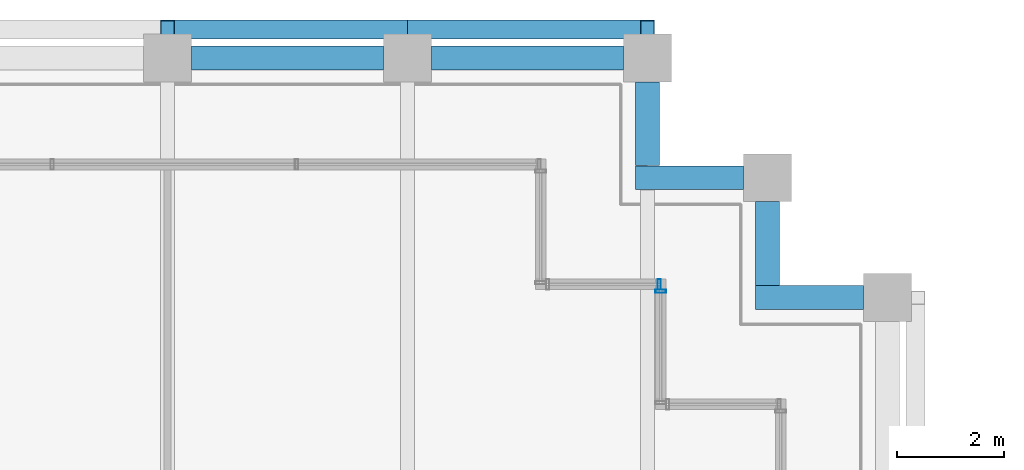
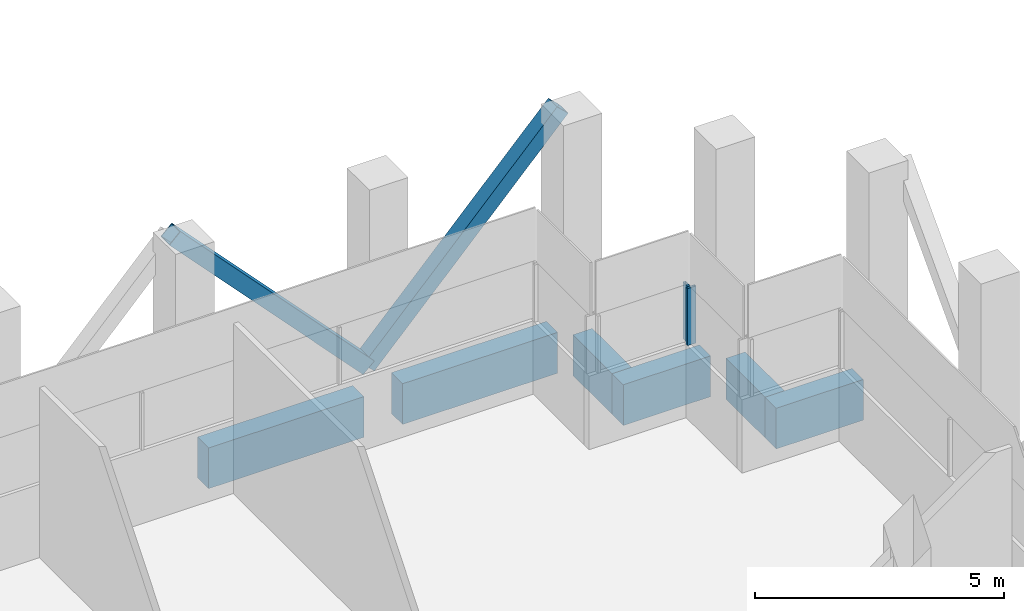
# One storey, part 20 of 34: 6 beams, 4 members, 2 elements without a shape of their own.
"""IFC4 building model written with IfcOpenShell, lengths in metres."""

import ifcopenshell
import ifcopenshell.guid

model = None  # the IFC model being written
_history = None  # IfcOwnerHistory: only IFC2X3 demands one
_inside = {}  # id of a spatial element -> (the spatial element, [elements in it])
_under = {}  # id of a project, library or spatial element -> (it, [spatial elements below it])
_declared = {}  # id of a project -> (the project, [libraries it declares])
_typed = {}  # id of a type object -> (the type object, [elements of that type])
_made_of = {}  # id of a material, layer set ... -> (it, [elements and type objects made of it])


def new_model(schema):
    """Start an empty IFC model of exactly this schema.

    Asked for "IFC4X3", IfcOpenShell would pick the latest addendum, in which some entities
    have other attributes; the version numbers below select the first issue.
    IFC2X3 requires an IfcOwnerHistory on every rooted entity: one is made here for all.
    """
    global model, _history
    if schema == "IFC4X3":
        model = ifcopenshell.file(schema_version=(4, 3, 0, 0))
    else:
        model = ifcopenshell.file(schema=schema)
    _inside.clear()
    _under.clear()
    _declared.clear()
    _typed.clear()
    _made_of.clear()
    _history = None
    if model.schema == "IFC2X3":
        org = make("IfcOrganization", Name="unknown")
        user = make(
            "IfcPersonAndOrganization",
            ThePerson=make("IfcPerson", FamilyName="unknown"),
            TheOrganization=org,
        )
        app = make(
            "IfcApplication",
            ApplicationDeveloper=org,
            Version="unknown",
            ApplicationFullName="unknown",
            ApplicationIdentifier="unknown",
        )
        _history = make(
            "IfcOwnerHistory",
            OwningUser=user,
            OwningApplication=app,
            ChangeAction="ADDED",
            CreationDate=0,
        )
    return model


def make(cls, **values):
    """One entity of the class cls with the attributes given. An attribute that is None is left unset."""
    return model.create_entity(
        cls, **{name: value for name, value in values.items() if value is not None}
    )


def rooted(cls, **values):
    """An entity with a GlobalId (a new one), such as an element, a storey or a relation."""
    return make(cls, GlobalId=ifcopenshell.guid.new(), OwnerHistory=_history, **values)


def si_unit(unit_type, name, prefix=None):
    """IfcSIUnit, for example si_unit("LENGTHUNIT", "METRE", prefix="MILLI")."""
    return make("IfcSIUnit", UnitType=unit_type, Prefix=prefix, Name=name)


def assignment(units):
    """IfcUnitAssignment: the units of a project."""
    return None if units is None else make("IfcUnitAssignment", Units=units)


def point(xyz):
    """IfcCartesianPoint."""
    return None if xyz is None else make("IfcCartesianPoint", Coordinates=xyz)


def direction(xyz):
    """IfcDirection."""
    return None if xyz is None else make("IfcDirection", DirectionRatios=xyz)


def frame(location, z_axis=None, x_axis=None):
    """IfcAxis2Placement3D, a coordinate frame: its origin and axes. An axis left out is left unset."""
    return make(
        "IfcAxis2Placement3D",
        Location=point(location),
        Axis=direction(z_axis),
        RefDirection=direction(x_axis),
    )


def frame_2d(location, x_axis=None):
    """IfcAxis2Placement2D, a coordinate frame in the plane: its origin and x axis."""
    return make(
        "IfcAxis2Placement2D", Location=point(location), RefDirection=direction(x_axis)
    )


def origin():
    """The frame at (0, 0, 0) with its axes left unset."""
    return frame((0.0, 0.0, 0.0))


def origin_2d():
    """The frame at (0, 0) in the plane with its x axis left unset."""
    return frame_2d((0.0, 0.0))


def place(relative_to, where):
    """IfcLocalPlacement: puts the frame where relative to a parent placement (None: the world)."""
    return make(
        "IfcLocalPlacement", PlacementRelTo=relative_to, RelativePlacement=where
    )


def context(
    kind, dimensions, precision=None, world=None, true_north=None, identifier=None
):
    """IfcGeometricRepresentationContext, for example the 3D "Model" context."""
    return make(
        "IfcGeometricRepresentationContext",
        ContextIdentifier=identifier,
        ContextType=kind,
        CoordinateSpaceDimension=dimensions,
        Precision=precision,
        WorldCoordinateSystem=world,
        TrueNorth=true_north,
    )


def subcontext(parent, identifier, kind, view, scale=None):
    """IfcGeometricRepresentationSubContext, for example "Body" below "Model"."""
    return make(
        "IfcGeometricRepresentationSubContext",
        ContextIdentifier=identifier,
        ContextType=kind,
        ParentContext=parent,
        TargetScale=scale,
        TargetView=view,
    )


def project(units=None, contexts=None):
    """IfcProject with its units and contexts."""
    return rooted(
        "IfcProject",
        Name="project",
        RepresentationContexts=contexts,
        UnitsInContext=assignment(units),
    )


def spatial(cls, under=None, at=None, **own):
    """A site, building, storey or space (cls), placed at a placement, below another one or the project."""
    s = rooted(cls, ObjectPlacement=at, **own)
    if under is not None:
        _under.setdefault(under.id(), (under, []))[1].append(s)
    return s


def profile(cls, at=None, kind="AREA", **sizes):
    """A parametric profile (cls). Its sizes go by their IFC names, for example OverallWidth=200.0."""
    return make(cls, ProfileType=kind, Position=at, **sizes)


def rectangle(**sizes):
    """IfcRectangleProfileDef."""
    return profile("IfcRectangleProfileDef", **sizes)


def hollow_rectangle(**sizes):
    """IfcRectangleHollowProfileDef."""
    return profile("IfcRectangleHollowProfileDef", **sizes)


def extrude(swept, where, along, depth):
    """IfcExtrudedAreaSolid: the profile swept, set in the frame where, extruded along a direction by depth."""
    return make(
        "IfcExtrudedAreaSolid",
        SweptArea=swept,
        Position=where,
        ExtrudedDirection=direction(along),
        Depth=depth,
    )


def shape(context_of_items, identifier, shape_type, items):
    """IfcShapeRepresentation: the items that make up one representation, for example the "Body"."""
    return make(
        "IfcShapeRepresentation",
        ContextOfItems=context_of_items,
        RepresentationIdentifier=identifier,
        RepresentationType=shape_type,
        Items=items,
    )


def material(Name=None, Category=None):
    """IfcMaterial."""
    return make("IfcMaterial", Name=Name, Category=Category)


def material_profile(
    of_material, cross_section, Name=None, Category=None, Priority=None
):
    """IfcMaterialProfile: a cross section and its material."""
    return make(
        "IfcMaterialProfile",
        Name=Name,
        Material=of_material,
        Profile=cross_section,
        Priority=Priority,
        Category=Category,
    )


def profile_set(profiles, Name=None, composite=None):
    """IfcMaterialProfileSet."""
    return make(
        "IfcMaterialProfileSet",
        Name=Name,
        MaterialProfiles=profiles,
        CompositeProfile=composite,
    )


def made_of(thing, what):
    """Note that an element or type object is made of a material, layer set ...; save() writes the relation."""
    if what is not None:
        _made_of.setdefault(what.id(), (what, []))[1].append(thing)
    return thing


def type_object(cls, material=None, **own):
    """A type object (cls), such as IfcWallType, which elements share."""
    return made_of(rooted(cls, **own), material)


def element(
    cls,
    number,
    at=None,
    inside=None,
    cuts=None,
    type_object=None,
    material=None,
    context=None,
    identifier="Body",
    shape_type=None,
    held_by="IfcProductDefinitionShape",
    body=None,
    shapes=None,
    **own,
):
    """One element of the class cls, such as IfcWall. Its Tag is "e" and its number.

    at: its placement. inside: the storey or other place that contains it. cuts: it is an
    opening in that element (IfcRelVoidsElement). A single representation is given by context,
    identifier, shape_type and body (its items); several are given by shapes. held_by: the class
    of the entity that holds the representations. save() writes the other relations.
    """
    e = rooted(cls, Tag="e%d" % number, ObjectPlacement=at, **own)
    if body is not None:
        shapes = [shape(context, identifier, shape_type, body)]
    if shapes is not None:
        e.Representation = make(held_by, Representations=shapes)
    if inside is not None:
        _inside.setdefault(inside.id(), (inside, []))[1].append(e)
    if cuts is not None:
        rooted(
            "IfcRelVoidsElement", RelatingBuildingElement=cuts, RelatedOpeningElement=e
        )
    if type_object is not None:
        _typed.setdefault(type_object.id(), (type_object, []))[1].append(e)
    return made_of(e, material)


def aggregate(whole, parts):
    """IfcRelAggregates: a whole, such as a stair, and the parts it consists of."""
    return rooted("IfcRelAggregates", RelatingObject=whole, RelatedObjects=parts)


def save(model, path):
    """Write the relations noted so far, then the file.

    IfcRelAggregates (storeys below a building ...), IfcRelContainedInSpatialStructure (elements
    in a storey), IfcRelDefinesByType, IfcRelAssociatesMaterial and IfcRelDeclares: one each for
    every whole, place, type object, material and project.
    """
    for whole, parts in _under.values():
        aggregate(whole, parts)
    for where, things in _inside.values():
        rooted(
            "IfcRelContainedInSpatialStructure",
            RelatedElements=things,
            RelatingStructure=where,
        )
    for kind, things in _typed.values():
        rooted("IfcRelDefinesByType", RelatedObjects=things, RelatingType=kind)
    for what, things in _made_of.values():
        rooted("IfcRelAssociatesMaterial", RelatedObjects=things, RelatingMaterial=what)
    for by, libraries in _declared.values():
        rooted("IfcRelDeclares", RelatingContext=by, RelatedDefinitions=libraries)
    model.write(path)


model = new_model("IFC4")

# Units and contexts
model_context = context("Model", 3, precision=1e-05, world=origin(), true_north=direction((0.0, 1.0)))
body_context = subcontext(model_context, "Body", "Model", "MODEL_VIEW")
ifc_project = project(units=[si_unit("LENGTHUNIT", "METRE"), si_unit("AREAUNIT", "SQUARE_METRE"), si_unit("VOLUMEUNIT", "CUBIC_METRE"), si_unit("PLANEANGLEUNIT", "RADIAN"), si_unit("MASSUNIT", "GRAM", prefix="KILO")], contexts=[model_context])

# Site, building, storey
site_placement = place(None, origin())
site = spatial("IfcSite", under=ifc_project, at=site_placement, CompositionType="ELEMENT")
building_placement = place(site_placement, origin())
building = spatial("IfcBuilding", under=site, at=building_placement, Name="Altepetl Exchange Towers", CompositionType="ELEMENT")
storey_placement = place(building_placement, frame((0.0, 0.0, 190.60009765625)))
storey = spatial("IfcBuildingStorey", under=building, at=storey_placement, Name="L48 Refuge", CompositionType="ELEMENT", Elevation=190.60009765625)

# Members
ifc_material_1 = material(Name="Steel S355", Category="steel")
ifc_material_profile_1 = material_profile(ifc_material_1, hollow_rectangle(XDim=0.35595703125, YDim=0.35595703125, WallThickness=0.014892578125, at=origin_2d()), Name="HSS356X356X15.9")
ifc_profile_set_1 = profile_set([ifc_material_profile_1], Name="Steel S355")
member_type_1 = type_object("IfcMemberType", Name="Belt diagonal HSS356X356X15.9", PredefinedType="BRACE", material=ifc_profile_set_1)
for number, where, z_axis, x_axis, name in (
    (1, (67.5, 72.530029296875, 4.75), (-0.687744647911, 0.0, -0.725952683906), (0.0, -1.0, 0.0), "brc:A:L48:013"),
    (2, (63.0, 72.530029296875, 0.0), (-0.687744647911, 0.0, 0.725952683906), (0.0, -1.0, 0.0), "brc:A:L48:014"),
):
    element("IfcMember", number, at=place(storey_placement, frame(where, z_axis=z_axis, x_axis=x_axis)), inside=storey, type_object=member_type_1, Name=name, PredefinedType="BRACE", context=body_context, shape_type="SweptSolid", body=[
        extrude(hollow_rectangle(XDim=0.35595703125, YDim=0.35595703125, WallThickness=0.014892578125, at=origin_2d()), origin(), (0.0, 0.0, 1.0), 6.543212890625),
    ])

# Curtain wall, member
ifc_material_2 = material(Name="Aluminium 6063-T6 glazing", Category="aluminium")
curtain_wall_type = type_object("IfcCurtainWallType", Name="Refuge slit glazing system", PredefinedType="NOTDEFINED", material=ifc_material_2)
curtain_wall_1_placement = place(storey_placement, origin())
curtain_wall_1 = element("IfcCurtainWall", 3, at=curtain_wall_1_placement, inside=storey, type_object=curtain_wall_type, Name="CW3 run", PredefinedType="NOTDEFINED")
ifc_material_3 = material(Name="Aluminium 6063-T6", Category="aluminium")
ifc_material_profile_2 = material_profile(ifc_material_3, hollow_rectangle(XDim=0.06005859375, YDim=0.199951171875, WallThickness=0.0029296875, at=origin_2d()), Name="Mullion 60x200 aluminium")
ifc_profile_set_2 = profile_set([ifc_material_profile_2], Name="Aluminium 6063-T6")
member_type_2 = type_object("IfcMemberType", Name="Mullion 60x200 aluminium", PredefinedType="MULLION", material=ifc_profile_set_2)
member_1_placement = place(storey_placement, frame((67.75, 67.6201171875, 1.7998046875), z_axis=(0.0, 0.0, 1.0), x_axis=(0.0, 1.0, 0.0)))
member_1 = element("IfcMember", 4, at=member_1_placement, type_object=member_type_2, Name="MU2 mullion", PredefinedType="MULLION", context=body_context, shape_type="SweptSolid", body=[
    extrude(hollow_rectangle(XDim=0.06005859375, YDim=0.199951171875, WallThickness=0.0029296875, at=origin_2d()), origin(), (0.0, 0.0, 1.0), 1.400146484375),
])
aggregate(curtain_wall_1, [member_1])

curtain_wall_2_placement = place(storey_placement, origin())
curtain_wall_2 = element("IfcCurtainWall", 5, at=curtain_wall_2_placement, inside=storey, type_object=curtain_wall_type, Name="CW3 run", PredefinedType="NOTDEFINED")
member_2_placement = place(storey_placement, frame((67.719970703125, 67.75, 1.7998046875), z_axis=(0.0, 0.0, 1.0), x_axis=(-1.0, 0.0, 0.0)))
member_2 = element("IfcMember", 6, at=member_2_placement, type_object=member_type_2, Name="MU2 mullion", PredefinedType="MULLION", context=body_context, shape_type="SweptSolid", body=[
    extrude(hollow_rectangle(XDim=0.06005859375, YDim=0.199951171875, WallThickness=0.0029296875, at=origin_2d()), origin(), (0.0, 0.0, 1.0), 1.400146484375),
])
aggregate(curtain_wall_2, [member_2])

# Beams
ifc_material_4 = material(Name="Concrete C50/60 precast with cantera rosa facing", Category="concrete")
ifc_material_profile_3 = material_profile(ifc_material_4, rectangle(XDim=0.449951171875, YDim=1.0, at=origin_2d()), Name="450 x 1000")
ifc_profile_set_3 = profile_set([ifc_material_profile_3], Name="Concrete C50/60 precast with cantera rosa facing")
beam_type = type_object("IfcBeamType", Name="Spandrel beam 450x1000 cantera rosa", PredefinedType="SPANDREL", material=ifc_profile_set_3)
beam_1_placement = place(storey_placement, frame((71.550048828125, 67.5, -0.7001953125), z_axis=(-1.0, 0.0, 0.0), x_axis=(0.0, -1.0, 0.0)))
element("IfcBeam", 7, at=beam_1_placement, inside=storey, type_object=beam_type, Name="sp:A:L48:020", PredefinedType="SPANDREL", context=body_context, shape_type="SweptSolid", body=[
    extrude(rectangle(XDim=0.449951171875, YDim=1.0, at=origin_2d()), origin(), (0.0, 0.0, 1.0), 2.025146484375),
])
beam_2_placement = place(storey_placement, frame((69.75, 67.72509765625, -0.7001953125), z_axis=(0.0, 1.0, 0.0), x_axis=(-1.0, 0.0, 0.0)))
element("IfcBeam", 8, at=beam_2_placement, inside=storey, type_object=beam_type, Name="sp:A:L48:021", PredefinedType="SPANDREL", context=body_context, shape_type="SweptSolid", body=[
    extrude(rectangle(XDim=0.449951171875, YDim=1.0, at=origin_2d()), origin(), (0.0, 0.0, 1.0), 1.574951171875),
])
beam_3_placement = place(storey_placement, frame((69.300048828125, 69.75, -0.7001953125), z_axis=(-1.0, 0.0, 0.0), x_axis=(0.0, -1.0, 0.0)))
element("IfcBeam", 9, at=beam_3_placement, inside=storey, type_object=beam_type, Name="sp:A:L48:022", PredefinedType="SPANDREL", context=body_context, shape_type="SweptSolid", body=[
    extrude(rectangle(XDim=0.449951171875, YDim=1.0, at=origin_2d()), origin(), (0.0, 0.0, 1.0), 2.025146484375),
])
beam_4_placement = place(storey_placement, frame((67.5, 69.97509765625, -0.7001953125), z_axis=(0.0, 1.0, 0.0), x_axis=(-1.0, 0.0, 0.0)))
element("IfcBeam", 10, at=beam_4_placement, inside=storey, type_object=beam_type, Name="sp:A:L48:023", PredefinedType="SPANDREL", context=body_context, shape_type="SweptSolid", body=[
    extrude(rectangle(XDim=0.449951171875, YDim=1.0, at=origin_2d()), origin(), (0.0, 0.0, 1.0), 1.574951171875),
])
for number, where, z_axis, x_axis, name in (
    (11, (67.050048828125, 72.0, -0.7001953125), (-1.0, 0.0, 0.0), (0.0, -1.0, 0.0), "sp:A:L48:024"),
    (12, (62.550048828125, 72.0, -0.7001953125), (-1.0, 0.0, 0.0), (0.0, -1.0, 0.0), "sp:A:L48:025"),
):
    element("IfcBeam", number, at=place(storey_placement, frame(where, z_axis=z_axis, x_axis=x_axis)), inside=storey, type_object=beam_type, Name=name, PredefinedType="SPANDREL", context=body_context, shape_type="SweptSolid", body=[
        extrude(rectangle(XDim=0.449951171875, YDim=1.0, at=origin_2d()), origin(), (0.0, 0.0, 1.0), 3.60009765625),
    ])

save(model, "model.ifc")
